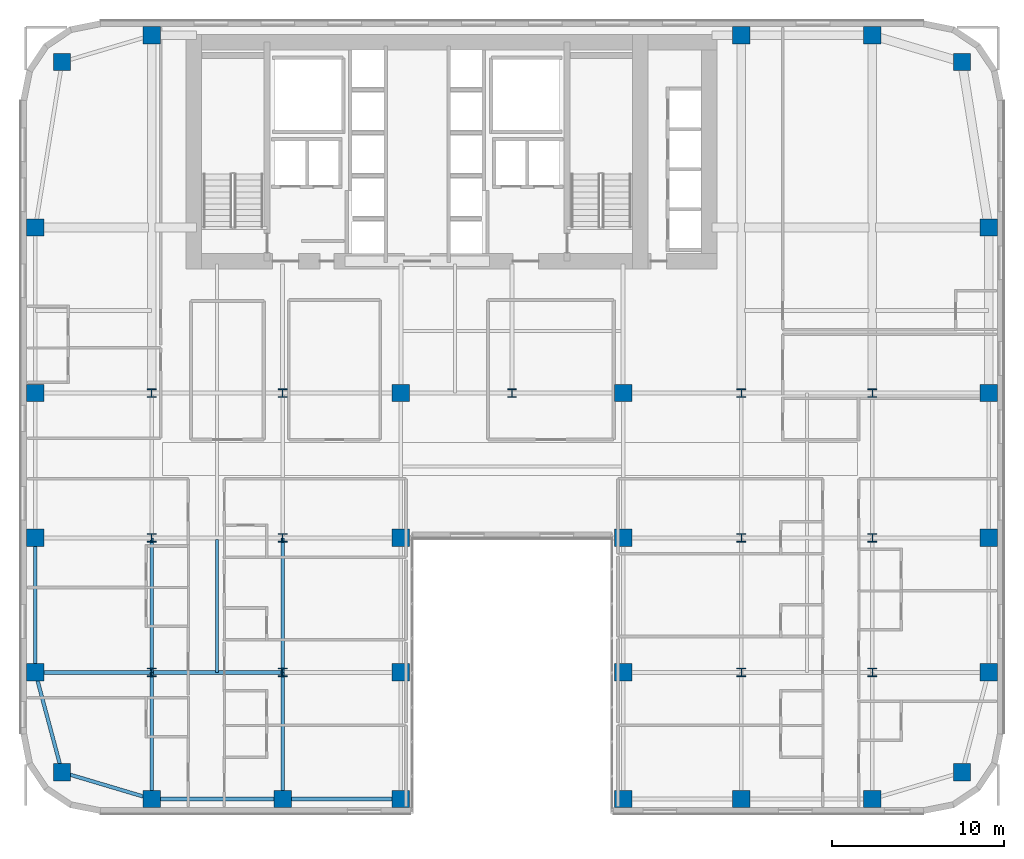
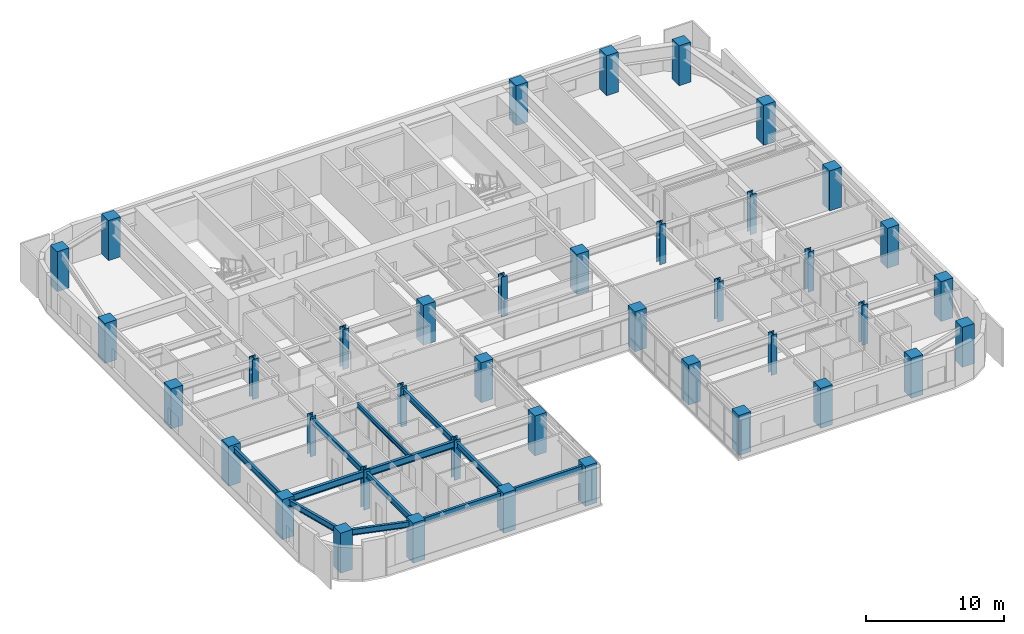
# One storey, part 1 of 25: 40 columns, 12 beams.
"""IFC4 building model written with IfcOpenShell, lengths in metres."""

from ifc_helpers import new_model, si_unit, direction, frame, origin, origin_2d, place, context, subcontext, project, spatial, rectangle, i_section, extrude, source, transform, mapped, material, material_profile, profile_set, type_object, type_shapes, element, save


model = new_model("IFC4")

# Units and contexts
model_context = context("Model", 3, precision=1e-05, world=origin(), true_north=direction((0.0, 1.0)))
body_context = subcontext(model_context, "Body", "Model", "MODEL_VIEW")
ifc_project = project(units=[si_unit("LENGTHUNIT", "METRE"), si_unit("AREAUNIT", "SQUARE_METRE"), si_unit("VOLUMEUNIT", "CUBIC_METRE"), si_unit("PLANEANGLEUNIT", "RADIAN"), si_unit("MASSUNIT", "GRAM", prefix="KILO")], contexts=[model_context])

# Site, building, storey
site_placement = place(None, origin())
site = spatial("IfcSite", under=ifc_project, at=site_placement, CompositionType="ELEMENT")
building_placement = place(site_placement, origin())
building = spatial("IfcBuilding", under=site, at=building_placement, Name="Tolvann Quenvar Hotel", CompositionType="ELEMENT")
storey_placement = place(building_placement, frame((0.0, 0.0, 46.199951171875)))
storey = spatial("IfcBuildingStorey", under=building, at=storey_placement, Name="L10", CompositionType="ELEMENT", Elevation=46.199951171875)

# Columns
ifc_material_1 = material(Name="Concrete S65 (65 MPa)", Category="concrete")
ifc_material_profile_1 = material_profile(ifc_material_1, rectangle(XDim=1.0, YDim=1.0, at=origin_2d()), Name="RC1000x1000")
ifc_profile_set_1 = profile_set([ifc_material_profile_1], Name="Concrete S65 (65 MPa)")
column_type_1 = type_object("IfcColumnType", Name="COL_RC1000", PredefinedType="COLUMN", material=ifc_profile_set_1)
shared_shape_1 = source(origin(), body_context, "Body", "SweptSolid", [
    extrude(rectangle(XDim=1.0, YDim=1.0, at=origin_2d()), origin(), (0.0, 0.0, 1.0), 3.550048828125),
])
type_shapes(column_type_1, [shared_shape_1])
for number, where, z_axis, x_axis, name in (
    (1, (2.39990234375, 2.39990234375, 0.0), (0.0, 0.0, 1.0), (1.0, 0.0, 0.0), "Column B2 (L10)"),
    (2, (0.85009765625, 8.199951171875, 0.0), (0.0, 0.0, 1.0), (1.0, 0.0, 0.0), "Column B3 (L10)"),
    (3, (0.85009765625, 16.0, 0.0), (0.0, 0.0, 1.0), (1.0, 0.0, 0.0), "Column B4 (L10)"),
    (4, (0.85009765625, 24.39990234375, 0.0), (0.0, 0.0, 1.0), (1.0, 0.0, 0.0), "Column B5 (L10)"),
    (5, (7.60009765625, 0.85009765625, 0.0), (0.0, 0.0, 1.0), (1.0, 0.0, 0.0), "Column C2 (L10)"),
    (6, (15.199951171875, 0.85009765625, 0.0), (0.0, 0.0, 1.0), (1.0, 0.0, 0.0), "Column D2 (L10)"),
    (7, (22.050048828125, 0.85009765625, 0.0), (0.0, 0.0, 1.0), (1.0, 0.0, 0.0), "Column E2 (L10)"),
    (8, (22.050048828125, 8.199951171875, 0.0), (0.0, 0.0, 1.0), (1.0, 0.0, 0.0), "Column E3 (L10)"),
    (9, (22.050048828125, 16.0, 0.0), (0.0, 0.0, 1.0), (1.0, 0.0, 0.0), "Column E4 (L10)"),
    (10, (22.050048828125, 24.39990234375, 0.0), (0.0, 0.0, 1.0), (1.0, 0.0, 0.0), "Column E5 (L10)"),
    (11, (34.949951171875, 0.85009765625, 0.0), (0.0, 0.0, 1.0), (1.0, 0.0, 0.0), "Column F2 (L10)"),
    (12, (34.949951171875, 8.199951171875, 0.0), (0.0, 0.0, 1.0), (1.0, 0.0, 0.0), "Column F3 (L10)"),
    (13, (34.949951171875, 16.0, 0.0), (0.0, 0.0, 1.0), (1.0, 0.0, 0.0), "Column F4 (L10)"),
    (14, (34.949951171875, 24.39990234375, 0.0), (0.0, 0.0, 1.0), (1.0, 0.0, 0.0), "Column F5 (L10)"),
    (15, (41.800048828125, 0.85009765625, 0.0), (0.0, 0.0, 1.0), (1.0, 0.0, 0.0), "Column H2 (L10)"),
    (16, (49.39990234375, 0.85009765625, 0.0), (0.0, 0.0, 1.0), (1.0, 0.0, 0.0), "Column I2 (L10)"),
    (17, (54.60009765625, 2.39990234375, 0.0), (0.0, 0.0, 1.0), (1.0, 0.0, 0.0), "Column J2 (L10)"),
    (18, (56.14990234375, 8.199951171875, 0.0), (0.0, 0.0, 1.0), (1.0, 0.0, 0.0), "Column J3 (L10)"),
    (19, (56.14990234375, 16.0, 0.0), (0.0, 0.0, 1.0), (1.0, 0.0, 0.0), "Column J4 (L10)"),
    (20, (56.14990234375, 24.39990234375, 0.0), (0.0, 0.0, 1.0), (1.0, 0.0, 0.0), "Column J5 (L10)"),
    (21, (2.39990234375, 43.60009765625, 0.0), (0.0, 0.0, 1.0), (1.0, 0.0, 0.0), "Column BN (L10)"),
    (22, (7.60009765625, 45.14990234375, 0.0), (0.0, 0.0, 1.0), (1.0, 0.0, 0.0), "Column CN (L10)"),
    (23, (0.85009765625, 34.0, 0.0), (0.0, 0.0, 1.0), (1.0, 0.0, 0.0), "Column BD6 (L10)"),
    (24, (41.800048828125, 45.14990234375, 0.0), (0.0, 0.0, 1.0), (1.0, 0.0, 0.0), "Column HN (L10)"),
    (25, (49.39990234375, 45.14990234375, 0.0), (0.0, 0.0, 1.0), (1.0, 0.0, 0.0), "Column IN (L10)"),
    (26, (54.60009765625, 43.60009765625, 0.0), (0.0, 0.0, 1.0), (1.0, 0.0, 0.0), "Column JN (L10)"),
    (27, (56.14990234375, 34.0, 0.0), (0.0, 0.0, 1.0), (1.0, 0.0, 0.0), "Column JD6 (L10)"),
):
    element("IfcColumn", number, at=place(storey_placement, frame(where, z_axis=z_axis, x_axis=x_axis)), inside=storey, type_object=column_type_1, Name=name, PredefinedType="COLUMN", context=body_context, shape_type="MappedRepresentation", body=[
        mapped(shared_shape_1, transform((0.0, 0.0, 0.0), x_axis=(1.0, 0.0, 0.0), y_axis=(0.0, 1.0, 0.0), z_axis=(0.0, 0.0, 1.0), scale=1.0)),
    ])
ifc_material_2 = material(Name="Steel Grade 350", Category="steel")
ifc_material_profile_2 = material_profile(ifc_material_2, i_section(OverallWidth=0.5, OverallDepth=0.5, WebThickness=0.028076171875, FlangeThickness=0.044921875, at=origin_2d()), Name="500WC440")
ifc_profile_set_2 = profile_set([ifc_material_profile_2], Name="Steel Grade 350")
column_type_2 = type_object("IfcColumnType", Name="COL_500WC440", PredefinedType="COLUMN", material=ifc_profile_set_2)
shared_shape_2 = source(origin(), body_context, "Body", "SweptSolid", [
    extrude(i_section(OverallWidth=0.5, OverallDepth=0.5, WebThickness=0.028076171875, FlangeThickness=0.044921875, at=origin_2d()), origin(), (0.0, 0.0, 1.0), 3.550048828125),
])
type_shapes(column_type_2, [shared_shape_2])
for number, where, z_axis, x_axis, name in (
    (28, (7.60009765625, 8.199951171875, 0.0), (0.0, 0.0, 1.0), (1.0, 0.0, 0.0), "Column C3 (L10)"),
    (29, (7.60009765625, 16.0, 0.0), (0.0, 0.0, 1.0), (1.0, 0.0, 0.0), "Column C4 (L10)"),
    (30, (7.60009765625, 24.39990234375, 0.0), (0.0, 0.0, 1.0), (1.0, 0.0, 0.0), "Column C5 (L10)"),
    (31, (15.199951171875, 8.199951171875, 0.0), (0.0, 0.0, 1.0), (1.0, 0.0, 0.0), "Column D3 (L10)"),
    (32, (15.199951171875, 16.0, 0.0), (0.0, 0.0, 1.0), (1.0, 0.0, 0.0), "Column D4 (L10)"),
    (33, (15.199951171875, 24.39990234375, 0.0), (0.0, 0.0, 1.0), (1.0, 0.0, 0.0), "Column D5 (L10)"),
    (34, (41.800048828125, 8.199951171875, 0.0), (0.0, 0.0, 1.0), (1.0, 0.0, 0.0), "Column H3 (L10)"),
    (35, (41.800048828125, 16.0, 0.0), (0.0, 0.0, 1.0), (1.0, 0.0, 0.0), "Column H4 (L10)"),
    (36, (41.800048828125, 24.39990234375, 0.0), (0.0, 0.0, 1.0), (1.0, 0.0, 0.0), "Column H5 (L10)"),
    (37, (49.39990234375, 8.199951171875, 0.0), (0.0, 0.0, 1.0), (1.0, 0.0, 0.0), "Column I3 (L10)"),
    (38, (49.39990234375, 16.0, 0.0), (0.0, 0.0, 1.0), (1.0, 0.0, 0.0), "Column I4 (L10)"),
    (39, (49.39990234375, 24.39990234375, 0.0), (0.0, 0.0, 1.0), (1.0, 0.0, 0.0), "Column I5 (L10)"),
    (40, (28.5, 24.39990234375, 0.0), (0.0, 0.0, 1.0), (1.0, 0.0, 0.0), "Column M5 (L10)"),
):
    element("IfcColumn", number, at=place(storey_placement, frame(where, z_axis=z_axis, x_axis=x_axis)), inside=storey, type_object=column_type_2, Name=name, PredefinedType="COLUMN", context=body_context, shape_type="MappedRepresentation", body=[
        mapped(shared_shape_2, transform((0.0, 0.0, 0.0), x_axis=(1.0, 0.0, 0.0), y_axis=(0.0, 1.0, 0.0), z_axis=(0.0, 0.0, 1.0), scale=1.0)),
    ])

# Beams
ifc_material_profile_3 = material_profile(ifc_material_2, i_section(OverallWidth=0.208984375, OverallDepth=0.528076171875, WebThickness=0.009521484375, FlangeThickness=0.01318359375, FilletRadius=0.013916015625, at=origin_2d()), Name="530UB82")
ifc_profile_set_3 = profile_set([ifc_material_profile_3], Name="Steel Grade 350")
beam_type_1 = type_object("IfcBeamType", Name="BM_SPAND_530UB82", PredefinedType="SPANDREL", material=ifc_profile_set_3)
shared_shape_3 = source(origin(), body_context, "Body", "SweptSolid", [
    extrude(i_section(OverallWidth=0.208984375, OverallDepth=0.528076171875, WebThickness=0.009521484375, FlangeThickness=0.01318359375, FilletRadius=0.013916015625, at=origin_2d()), origin(), (0.0, 0.0, 1.0), 5.42626953125),
])
beam_1_placement = place(storey_placement, frame((2.39990234375, 2.39990234375, 3.10595703125), z_axis=(0.958344815522, -0.285613750654, 0.0), x_axis=(0.285613750654, 0.958344815522, 0.0)))
element("IfcBeam", 41, at=beam_1_placement, inside=storey, type_object=beam_type_1, Name="BM-L10-EW-2-B2-C2", PredefinedType="SPANDREL", context=body_context, shape_type="MappedRepresentation", body=[
    mapped(shared_shape_3, transform((0.0, 0.0, 0.0), x_axis=(1.0, 0.0, 0.0), y_axis=(0.0, 1.0, 0.0), z_axis=(0.0, 0.0, 1.0), scale=1.0)),
])
shared_shape_4 = source(origin(), body_context, "Body", "SweptSolid", [
    extrude(i_section(OverallWidth=0.208984375, OverallDepth=0.528076171875, WebThickness=0.009521484375, FlangeThickness=0.01318359375, FilletRadius=0.013916015625, at=origin_2d()), origin(), (0.0, 0.0, 1.0), 7.599853515625),
])
beam_2_placement = place(storey_placement, frame((7.60009765625, 0.85009765625, 3.10595703125), z_axis=(1.0, 0.0, 0.0), x_axis=(0.0, 1.0, 0.0)))
element("IfcBeam", 42, at=beam_2_placement, inside=storey, type_object=beam_type_1, Name="BM-L10-EW-2-C2-D2", PredefinedType="SPANDREL", context=body_context, shape_type="MappedRepresentation", body=[
    mapped(shared_shape_4, transform((0.0, 0.0, 0.0), x_axis=(1.0, 0.0, 0.0), y_axis=(0.0, 1.0, 0.0), z_axis=(0.0, 0.0, 1.0), scale=1.0)),
])
shared_shape_5 = source(origin(), body_context, "Body", "SweptSolid", [
    extrude(i_section(OverallWidth=0.208984375, OverallDepth=0.528076171875, WebThickness=0.009521484375, FlangeThickness=0.01318359375, FilletRadius=0.013916015625, at=origin_2d()), origin(), (0.0, 0.0, 1.0), 6.85009765625),
])
beam_3_placement = place(storey_placement, frame((15.199951171875, 0.85009765625, 3.10595703125), z_axis=(1.0, 0.0, 0.0), x_axis=(0.0, 1.0, 0.0)))
element("IfcBeam", 43, at=beam_3_placement, inside=storey, type_object=beam_type_1, Name="BM-L10-EW-2-D2-E2", PredefinedType="SPANDREL", context=body_context, shape_type="MappedRepresentation", body=[
    mapped(shared_shape_5, transform((0.0, 0.0, 0.0), x_axis=(1.0, 0.0, 0.0), y_axis=(0.0, 1.0, 0.0), z_axis=(0.0, 0.0, 1.0), scale=1.0)),
])
ifc_material_profile_4 = material_profile(ifc_material_2, i_section(OverallWidth=0.22900390625, OverallDepth=0.612060546875, WebThickness=0.011962890625, FlangeThickness=0.01953125, FilletRadius=0.013916015625, at=origin_2d()), Name="610UB125")
ifc_profile_set_4 = profile_set([ifc_material_profile_4], Name="Steel Grade 350")
beam_type_2 = type_object("IfcBeamType", Name="BM_GIRD_610UB125", PredefinedType="BEAM", material=ifc_profile_set_4)
shared_shape_6 = source(origin(), body_context, "Body", "SweptSolid", [
    extrude(i_section(OverallWidth=0.22900390625, OverallDepth=0.612060546875, WebThickness=0.011962890625, FlangeThickness=0.01953125, FilletRadius=0.013916015625, at=origin_2d()), origin(), (0.0, 0.0, 1.0), 6.75),
])
beam_4_placement = place(storey_placement, frame((0.85009765625, 8.199951171875, 3.06396484375), z_axis=(1.0, 0.0, 0.0), x_axis=(0.0, 1.0, 0.0)))
element("IfcBeam", 44, at=beam_4_placement, inside=storey, type_object=beam_type_2, Name="BM-L10-EW-3-B3-C3", PredefinedType="BEAM", context=body_context, shape_type="MappedRepresentation", body=[
    mapped(shared_shape_6, transform((0.0, 0.0, 0.0), x_axis=(1.0, 0.0, 0.0), y_axis=(0.0, 1.0, 0.0), z_axis=(0.0, 0.0, 1.0), scale=1.0)),
])
shared_shape_7 = source(origin(), body_context, "Body", "SweptSolid", [
    extrude(i_section(OverallWidth=0.22900390625, OverallDepth=0.612060546875, WebThickness=0.011962890625, FlangeThickness=0.01953125, FilletRadius=0.013916015625, at=origin_2d()), origin(), (0.0, 0.0, 1.0), 7.599853515625),
])
type_shapes(beam_type_2, [shared_shape_6, shared_shape_7])
beam_5_placement = place(storey_placement, frame((7.60009765625, 8.199951171875, 3.06396484375), z_axis=(1.0, 0.0, 0.0), x_axis=(0.0, 1.0, 0.0)))
element("IfcBeam", 45, at=beam_5_placement, inside=storey, type_object=beam_type_2, Name="BM-L10-EW-3-C3-D3", PredefinedType="BEAM", context=body_context, shape_type="MappedRepresentation", body=[
    mapped(shared_shape_7, transform((0.0, 0.0, 0.0), x_axis=(1.0, 0.0, 0.0), y_axis=(0.0, 1.0, 0.0), z_axis=(0.0, 0.0, 1.0), scale=1.0)),
])
shared_shape_8 = source(origin(), body_context, "Body", "SweptSolid", [
    extrude(i_section(OverallWidth=0.208984375, OverallDepth=0.528076171875, WebThickness=0.009521484375, FlangeThickness=0.01318359375, FilletRadius=0.013916015625, at=origin_2d()), origin(), (0.0, 0.0, 1.0), 6.00341796875),
])
beam_6_placement = place(storey_placement, frame((2.39990234375, 2.39990234375, 3.10595703125), z_axis=(-0.258148586649, 0.966105225745, 0.0), x_axis=(-0.966105225745, -0.258148586649, 0.0)))
element("IfcBeam", 46, at=beam_6_placement, inside=storey, type_object=beam_type_1, Name="BM-L10-NS-B2-B3", PredefinedType="SPANDREL", context=body_context, shape_type="MappedRepresentation", body=[
    mapped(shared_shape_8, transform((0.0, 0.0, 0.0), x_axis=(1.0, 0.0, 0.0), y_axis=(0.0, 1.0, 0.0), z_axis=(0.0, 0.0, 1.0), scale=1.0)),
])
shared_shape_9 = source(origin(), body_context, "Body", "SweptSolid", [
    extrude(i_section(OverallWidth=0.208984375, OverallDepth=0.528076171875, WebThickness=0.009521484375, FlangeThickness=0.01318359375, FilletRadius=0.013916015625, at=origin_2d()), origin(), (0.0, 0.0, 1.0), 7.800048828125),
])
type_shapes(beam_type_1, [shared_shape_3, shared_shape_4, shared_shape_5, shared_shape_8, shared_shape_9])
beam_7_placement = place(storey_placement, frame((0.85009765625, 8.199951171875, 3.10595703125), z_axis=(0.0, 1.0, 0.0), x_axis=(-1.0, 0.0, 0.0)))
element("IfcBeam", 47, at=beam_7_placement, inside=storey, type_object=beam_type_1, Name="BM-L10-NS-B3-B4", PredefinedType="SPANDREL", context=body_context, shape_type="MappedRepresentation", body=[
    mapped(shared_shape_9, transform((0.0, 0.0, 0.0), x_axis=(1.0, 0.0, 0.0), y_axis=(0.0, 1.0, 0.0), z_axis=(0.0, 0.0, 1.0), scale=1.0)),
])
ifc_material_profile_5 = material_profile(ifc_material_2, i_section(OverallWidth=0.208984375, OverallDepth=0.532958984375, WebThickness=0.01025390625, FlangeThickness=0.015625, FilletRadius=0.013916015625, at=origin_2d()), Name="530UB92")
ifc_profile_set_5 = profile_set([ifc_material_profile_5], Name="Steel Grade 350")
beam_type_3 = type_object("IfcBeamType", Name="BM_GIRD_530UB92", PredefinedType="BEAM", material=ifc_profile_set_5)
shared_shape_10 = source(origin(), body_context, "Body", "SweptSolid", [
    extrude(i_section(OverallWidth=0.208984375, OverallDepth=0.532958984375, WebThickness=0.01025390625, FlangeThickness=0.015625, FilletRadius=0.013916015625, at=origin_2d()), origin(), (0.0, 0.0, 1.0), 7.349853515625),
])
for number, where, z_axis, x_axis, name in (
    (48, (7.60009765625, 0.85009765625, 3.103515625), (0.0, 1.0, 0.0), (-1.0, 0.0, 0.0), "BM-L10-NS-C2-C3"),
    (49, (15.199951171875, 0.85009765625, 3.103515625), (0.0, 1.0, 0.0), (-1.0, 0.0, 0.0), "BM-L10-NS-D2-D3"),
):
    element("IfcBeam", number, at=place(storey_placement, frame(where, z_axis=z_axis, x_axis=x_axis)), inside=storey, type_object=beam_type_3, Name=name, PredefinedType="BEAM", context=body_context, shape_type="MappedRepresentation", body=[
        mapped(shared_shape_10, transform((0.0, 0.0, 0.0), x_axis=(1.0, 0.0, 0.0), y_axis=(0.0, 1.0, 0.0), z_axis=(0.0, 0.0, 1.0), scale=1.0)),
    ])
shared_shape_11 = source(origin(), body_context, "Body", "SweptSolid", [
    extrude(i_section(OverallWidth=0.208984375, OverallDepth=0.532958984375, WebThickness=0.01025390625, FlangeThickness=0.015625, FilletRadius=0.013916015625, at=origin_2d()), origin(), (0.0, 0.0, 1.0), 7.800048828125),
])
type_shapes(beam_type_3, [shared_shape_10, shared_shape_11])
for number, where, z_axis, x_axis, name in (
    (50, (7.60009765625, 8.199951171875, 3.103515625), (0.0, 1.0, 0.0), (-1.0, 0.0, 0.0), "BM-L10-NS-C3-C4"),
    (51, (15.199951171875, 8.199951171875, 3.103515625), (0.0, 1.0, 0.0), (-1.0, 0.0, 0.0), "BM-L10-NS-D3-D4"),
):
    element("IfcBeam", number, at=place(storey_placement, frame(where, z_axis=z_axis, x_axis=x_axis)), inside=storey, type_object=beam_type_3, Name=name, PredefinedType="BEAM", context=body_context, shape_type="MappedRepresentation", body=[
        mapped(shared_shape_11, transform((0.0, 0.0, 0.0), x_axis=(1.0, 0.0, 0.0), y_axis=(0.0, 1.0, 0.0), z_axis=(0.0, 0.0, 1.0), scale=1.0)),
    ])
ifc_material_profile_6 = material_profile(ifc_material_2, i_section(OverallWidth=0.177978515625, OverallDepth=0.406005859375, WebThickness=0.0078125, FlangeThickness=0.0126953125, FilletRadius=0.011474609375, at=origin_2d()), Name="410UB60")
ifc_profile_set_6 = profile_set([ifc_material_profile_6], Name="Steel Grade 350")
beam_type_4 = type_object("IfcBeamType", Name="BM_JOIST_410UB60", PredefinedType="JOIST", material=ifc_profile_set_6)
shared_shape_12 = source(origin(), body_context, "Body", "SweptSolid", [
    extrude(i_section(OverallWidth=0.177978515625, OverallDepth=0.406005859375, WebThickness=0.0078125, FlangeThickness=0.0126953125, FilletRadius=0.011474609375, at=origin_2d()), origin(), (0.0, 0.0, 1.0), 7.691650390625),
])
type_shapes(beam_type_4, [shared_shape_12])
beam_8_placement = place(storey_placement, frame((11.39990234375, 8.199951171875, 3.1669921875), z_axis=(0.0, 1.0, 0.0), x_axis=(-1.0, 0.0, 0.0)))
element("IfcBeam", 52, at=beam_8_placement, inside=storey, type_object=beam_type_4, Name="BJ-L10-114-82", PredefinedType="JOIST", context=body_context, shape_type="MappedRepresentation", body=[
    mapped(shared_shape_12, transform((0.0, 0.0, 0.0), x_axis=(1.0, 0.0, 0.0), y_axis=(0.0, 1.0, 0.0), z_axis=(0.0, 0.0, 1.0), scale=1.0)),
])

save(model, "model.ifc")
